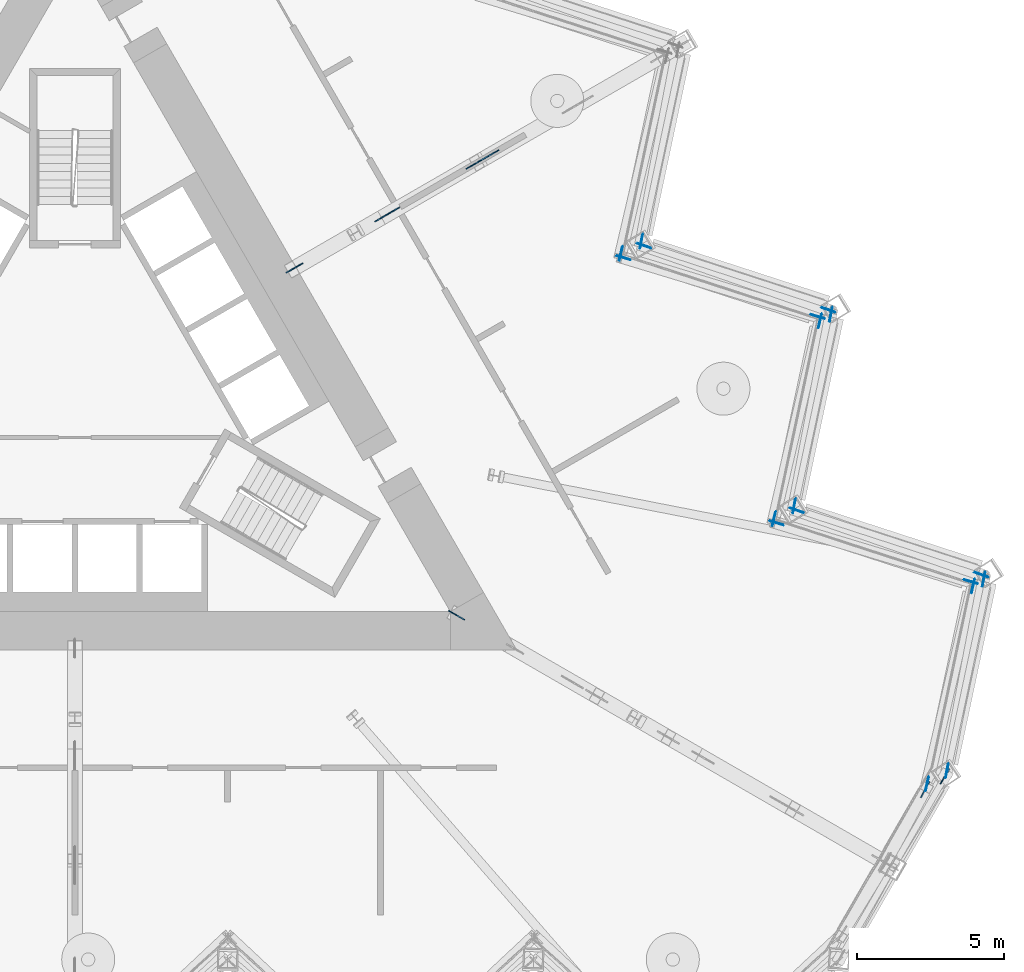
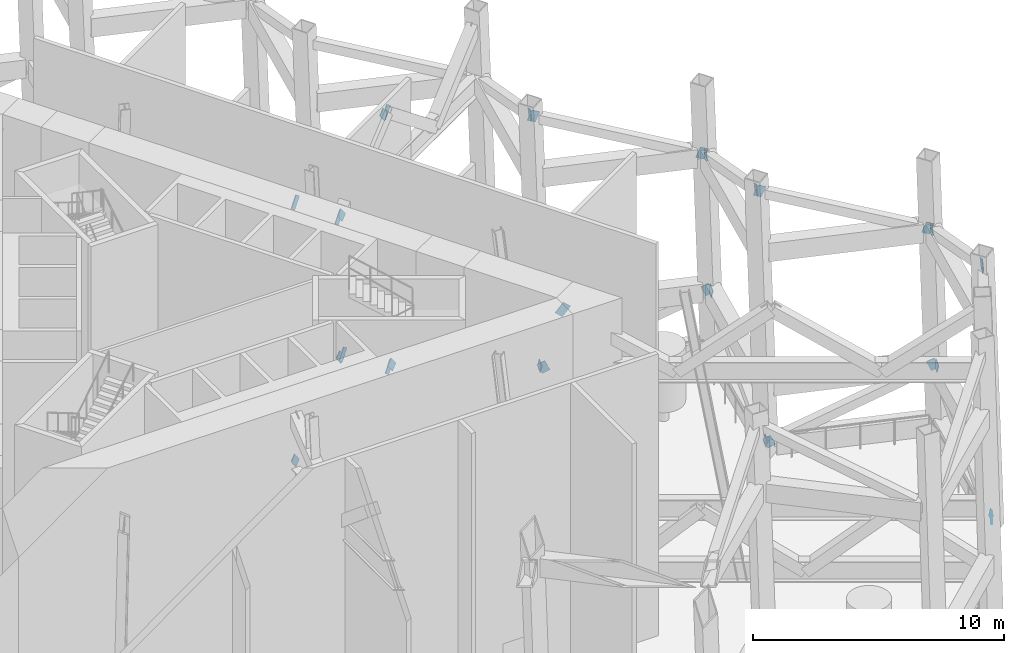
# One storey, part 13 of 19: 31 discrete accessories.
"""IFC4 building model written with IfcOpenShell, lengths in metres."""

from ifc_helpers import new_model, si_unit, direction, frame, origin, origin_2d, place, context, subcontext, project, spatial, rectangle, extrude, material, material_profile, profile_set, type_object, element, save


model = new_model("IFC4")

# Units and contexts
model_context = context("Model", 3, precision=1e-05, world=origin(), true_north=direction((0.0, 1.0)))
body_context = subcontext(model_context, "Body", "Model", "MODEL_VIEW")
ifc_project = project(units=[si_unit("LENGTHUNIT", "METRE"), si_unit("AREAUNIT", "SQUARE_METRE"), si_unit("VOLUMEUNIT", "CUBIC_METRE"), si_unit("PLANEANGLEUNIT", "RADIAN"), si_unit("MASSUNIT", "GRAM", prefix="KILO")], contexts=[model_context])

# Site, building, storey
site_placement = place(None, origin())
site = spatial("IfcSite", under=ifc_project, at=site_placement, CompositionType="ELEMENT")
building_placement = place(site_placement, origin())
building = spatial("IfcBuilding", under=site, at=building_placement, Name="Cormorant Prow Tower", CompositionType="ELEMENT")
storey_placement = place(building_placement, frame((0.0, 0.0, 287.800048828125)))
storey = spatial("IfcBuildingStorey", under=building, at=storey_placement, Name="L64", CompositionType="ELEMENT", Elevation=287.800048828125)

# Discrete accessories
ifc_material_1 = material(Name="Structural steel ASTM A500 Gr C", Category="steel")
ifc_material_profile_1 = material_profile(ifc_material_1, rectangle(XDim=0.031982421875, YDim=0.506103515625, at=origin_2d()), Name="Gusset plate 32x506")
ifc_profile_set_1 = profile_set([ifc_material_profile_1], Name="Structural steel ASTM A500 Gr C")
discrete_accessory_type_1 = type_object("IfcDiscreteAccessoryType", Name="Gusset plate 32x506", PredefinedType="BRACKET", material=ifc_profile_set_1)
for number, where, z_axis, x_axis, name in (
    (1, (29.46728515625, -13.07177734375, 0.640625), (0.401648542264, 0.659651946148, -0.635246218754), (-0.854128807881, 0.520061515158, 0.0), "Gusset plate GP2 L64.ESE01.g0"),
    (2, (28.809814453125, -13.507080078125, 13.034912109375), (0.330583804423, 0.613742084161, 0.716962343769), (-0.880406841963, 0.474219139876, 0.0), "Gusset plate GP2 L64.ESE01.t1.g1"),
):
    element("IfcDiscreteAccessory", number, at=place(storey_placement, frame(where, z_axis=z_axis, x_axis=x_axis)), inside=storey, type_object=discrete_accessory_type_1, Name=name, PredefinedType="BRACKET", context=body_context, shape_type="SweptSolid", body=[
        extrude(rectangle(XDim=0.031982421875, YDim=0.506103515625, at=origin_2d()), origin(), (0.0, 0.0, 1.0), 0.35009765625),
    ])
for number, where, z_axis, x_axis, name in (
    (3, (29.6396484375, -12.60400390625, 0.5703125), (-0.173056719178, -0.899476254112, -0.401240377125), (0.981990141826, -0.188932160724, 0.0), "Gusset plate GP2 L64.ENE00.g0"),
    (4, (30.8291015625, -6.41650390625, 3.32958984375), (0.173056719178, 0.899476254112, 0.401240377125), (-0.981990141826, 0.188932160724, 0.0), "Gusset plate GP2 L64.ENE00.g1"),
    (5, (30.459228515625, -6.647705078125, 10.3662109375), (0.208581222343, 0.897806130957, -0.38786341011), (-0.974058485018, 0.226296415711, 0.0), "Gusset plate GP2 L64.ENE00.t1.g0"),
    (6, (28.971435546875, -13.0537109375, 13.133544921875), (-0.208581222343, -0.897806130957, 0.38786341011), (0.974058485018, -0.226296415711, 0.0), "Gusset plate GP2 L64.ENE00.t1.g1"),
    (7, (24.65869140625, -3.9775390625, 0.570068359375), (-0.865090897516, 0.302084160181, -0.400453367076), (-0.329672061169, -0.944095510044, 0.0), "Gusset plate GP2 L64.ENE01.g0"),
):
    element("IfcDiscreteAccessory", number, at=place(storey_placement, frame(where, z_axis=z_axis, x_axis=x_axis)), inside=storey, type_object=discrete_accessory_type_1, Name=name, PredefinedType="BRACKET", context=body_context, shape_type="SweptSolid", body=[
        extrude(rectangle(XDim=0.031982421875, YDim=0.506103515625, at=origin_2d()), origin(), (0.0, 0.0, 1.0), 0.349853515625),
    ])
for number, where, z_axis, x_axis, name in (
    (8, (30.621337890625, -6.05615234375, 3.329833984375), (0.865266280824, -0.301901933599, 0.400211801123), (0.329435251589, 0.944178169103, 0.0), "Gusset plate GP2 L64.ENE01.g1"),
    (9, (30.257080078125, -6.29833984375, 10.366455078125), (0.882138829648, -0.266385006265, -0.388420022224), (0.28908310657, 0.957304004742, 0.0), "Gusset plate GP2 L64.ENE01.t1.g0"),
    (10, (23.97509765625, -4.39892578125, 13.13330078125), (-0.882138829648, 0.266385006265, 0.388420022224), (-0.28908310657, -0.957304004742, 0.0), "Gusset plate GP2 L64.ENE01.t1.g1"),
    (11, (24.450927734375, -3.616943359375, 0.5703125), (-0.172271523265, -0.899717672114, -0.401036946873), (0.982158184024, -0.188056644538, 0.0), "Gusset plate GP2 L64.ENE02.g0"),
):
    element("IfcDiscreteAccessory", number, at=place(storey_placement, frame(where, z_axis=z_axis, x_axis=x_axis)), inside=storey, type_object=discrete_accessory_type_1, Name=name, PredefinedType="BRACKET", context=body_context, shape_type="SweptSolid", body=[
        extrude(rectangle(XDim=0.031982421875, YDim=0.506103515625, at=origin_2d()), origin(), (0.0, 0.0, 1.0), 0.35009765625),
    ])
discrete_accessory_1_placement = place(storey_placement, frame((25.63818359375, 2.574462890625, 3.32958984375), z_axis=(0.173056719178, 0.899476254112, 0.401240377125), x_axis=(-0.981990141826, 0.188932160724, 0.0)))
element("IfcDiscreteAccessory", 12, at=discrete_accessory_1_placement, inside=storey, type_object=discrete_accessory_type_1, Name="Gusset plate GP2 L64.ENE02.g1", PredefinedType="BRACKET", context=body_context, shape_type="SweptSolid", body=[
    extrude(rectangle(XDim=0.031982421875, YDim=0.506103515625, at=origin_2d()), origin(), (0.0, 0.0, 1.0), 0.349853515625),
])
for number, where, z_axis, x_axis, name in (
    (13, (25.262939453125, 2.352294921875, 10.366455078125), (0.209191694804, 0.89743237071, -0.388399246686), (-0.973891420935, 0.227014317234, 0.0), "Gusset plate GP2 L64.ENE02.t1.g0"),
    (14, (23.773193359375, -4.049560546875, 13.133544921875), (-0.209248322944, -0.897675305428, 0.387806891855), (0.973891420935, -0.227014317234, 0.0), "Gusset plate GP2 L64.ENE02.t1.g1"),
    (15, (19.47021484375, 5.009521484375, 0.570068359375), (-0.865448263012, 0.301268049654, -0.400295973383), (-0.328756746245, -0.944414634468, 0.0), "Gusset plate GP2 L64.ENE03.g0"),
    (16, (25.430419921875, 2.9345703125, 3.329833984375), (0.865448263012, -0.301268049654, 0.400295973383), (0.328756746245, 0.944414634468, 0.0), "Gusset plate GP2 L64.ENE03.g1"),
):
    element("IfcDiscreteAccessory", number, at=place(storey_placement, frame(where, z_axis=z_axis, x_axis=x_axis)), inside=storey, type_object=discrete_accessory_type_1, Name=name, PredefinedType="BRACKET", context=body_context, shape_type="SweptSolid", body=[
        extrude(rectangle(XDim=0.031982421875, YDim=0.506103515625, at=origin_2d()), origin(), (0.0, 0.0, 1.0), 0.35009765625),
    ])
discrete_accessory_2_placement = place(storey_placement, frame((25.06103515625, 2.701904296875, 10.366455078125), z_axis=(0.881819785023, -0.267196976, -0.388586724887), x_axis=(0.289986381107, 0.957030772114, 0.0)))
element("IfcDiscreteAccessory", 17, at=discrete_accessory_2_placement, inside=storey, type_object=discrete_accessory_type_1, Name="Gusset plate GP2 L64.ENE03.t1.g0", PredefinedType="BRACKET", context=body_context, shape_type="SweptSolid", body=[
    extrude(rectangle(XDim=0.031982421875, YDim=0.506103515625, at=origin_2d()), origin(), (0.0, 0.0, 1.0), 0.349853515625),
])
for number, where, z_axis, x_axis, name in (
    (18, (18.776611328125, 4.60498046875, 13.133544921875), (-0.882213480392, 0.26710495098, 0.387755490196), (-0.289776399054, -0.957094372855, 0.0), "Gusset plate GP2 L64.ENE03.t1.g1"),
    (19, (19.26220703125, 5.369873046875, 0.5703125), (-0.172271523265, -0.899717672114, -0.401036946873), (0.982158184024, -0.188056644538, 0.0), "Gusset plate GP2 L64.ENE04.g0"),
):
    element("IfcDiscreteAccessory", number, at=place(storey_placement, frame(where, z_axis=z_axis, x_axis=x_axis)), inside=storey, type_object=discrete_accessory_type_1, Name=name, PredefinedType="BRACKET", context=body_context, shape_type="SweptSolid", body=[
        extrude(rectangle(XDim=0.031982421875, YDim=0.506103515625, at=origin_2d()), origin(), (0.0, 0.0, 1.0), 0.35009765625),
    ])
discrete_accessory_3_placement = place(storey_placement, frame((18.57470703125, 4.954345703125, 13.133544921875), z_axis=(-0.209379410418, -0.897539739327, 0.388049840642), x_axis=(0.973852380129, -0.2271817372, 0.0)))
element("IfcDiscreteAccessory", 20, at=discrete_accessory_3_placement, inside=storey, type_object=discrete_accessory_type_1, Name="Gusset plate GP2 L64.ENE04.t1.g1", PredefinedType="BRACKET", context=body_context, shape_type="SweptSolid", body=[
    extrude(rectangle(XDim=0.031982421875, YDim=0.506103515625, at=origin_2d()), origin(), (0.0, 0.0, 1.0), 0.349853515625),
])
ifc_material_2 = material(Name="Structural steel ASTM A500 Gr C", Category="steel")
ifc_material_profile_2 = material_profile(ifc_material_2, rectangle(XDim=0.031982421875, YDim=0.60791015625, at=origin_2d()), Name="Gusset plate 32x608")
ifc_profile_set_2 = profile_set([ifc_material_profile_2], Name="Structural steel ASTM A500 Gr C")
discrete_accessory_type_2 = type_object("IfcDiscreteAccessoryType", Name="Gusset plate 32x608", PredefinedType="BRACKET", material=ifc_profile_set_2)
discrete_accessory_4_placement = place(storey_placement, frame((13.088134765625, -7.556396484375, 13.036865234375), z_axis=(-0.727089729103, 0.419367492505, 0.543572839703), x_axis=(-0.499626492788, -0.866240940907, 0.0)))
element("IfcDiscreteAccessory", 21, at=discrete_accessory_4_placement, inside=storey, type_object=discrete_accessory_type_2, Name="Gusset plate GP1 L64.09.1.t1.g0", PredefinedType="BRACKET", context=body_context, shape_type="SweptSolid", body=[
    extrude(rectangle(XDim=0.031982421875, YDim=0.60791015625, at=origin_2d()), origin(), (0.0, 0.0, 1.0), 0.349853515625),
])
discrete_accessory_5_placement = place(storey_placement, frame((7.573974609375, 4.372802734375, 0.686279296875), z_axis=(-0.679175372225, -0.391885584385, -0.620601726161), x_axis=(0.499773776046, -0.866155974855, 0.0)))
element("IfcDiscreteAccessory", 22, at=discrete_accessory_5_placement, inside=storey, type_object=discrete_accessory_type_2, Name="Gusset plate GP1 L64.11.1.g0", PredefinedType="BRACKET", context=body_context, shape_type="SweptSolid", body=[
    extrude(rectangle(XDim=0.031982421875, YDim=0.60791015625, at=origin_2d()), origin(), (0.0, 0.0, 1.0), 0.35009765625),
])
for number, where, z_axis, x_axis, name in (
    (23, (10.450439453125, 6.03369140625, 3.31396484375), (0.679469310196, 0.392055187197, 0.62017270715), (-0.499773776046, 0.866155974855, 0.0), "Gusset plate GP1 L64.11.1.g1"),
    (24, (10.860107421875, 6.27001953125, 3.317138671875), (-0.68645957924, -0.396249025415, 0.609721211642), (0.499925626596, -0.866068339032, 0.0), "Gusset plate GP1 L64.11.2.g0"),
):
    element("IfcDiscreteAccessory", number, at=place(storey_placement, frame(where, z_axis=z_axis, x_axis=x_axis)), inside=storey, type_object=discrete_accessory_type_2, Name=name, PredefinedType="BRACKET", context=body_context, shape_type="SweptSolid", body=[
        extrude(rectangle(XDim=0.031982421875, YDim=0.60791015625, at=origin_2d()), origin(), (0.0, 0.0, 1.0), 0.349853515625),
    ])
for number, where, z_axis, x_axis, name in (
    (25, (13.822509765625, 7.98046875, 0.68310546875), (0.68616760981, 0.396080490216, -0.610159205878), (-0.499925626596, 0.866068339032, 0.0), "Gusset plate GP1 L64.11.2.g1"),
    (26, (14.22998046875, 8.215576171875, 0.689453125), (-0.671683032002, -0.387804533534, -0.631228602245), (0.500007885066, -0.866020851292, 0.0), "Gusset plate GP1 L64.11.3.g0"),
    (27, (7.5712890625, 4.371337890625, 13.010009765625), (-0.670889592158, -0.387051687783, 0.632533118594), (0.49972245349, -0.866185586049, 0.0), "Gusset plate GP1 L64.11.1.t1.g0"),
    (28, (10.3525390625, 5.97705078125, 10.389404296875), (0.671004149087, 0.38781528783, -0.631943616499), (-0.500397548058, 0.865795757611, 0.0), "Gusset plate GP1 L64.11.1.t1.g1"),
    (29, (10.7529296875, 6.208251953125, 10.392822265625), (-0.663255717396, -0.382888947266, -0.643030253879), (0.499958946799, -0.866049104564, 0.0), "Gusset plate GP1 L64.11.2.t1.g0"),
):
    element("IfcDiscreteAccessory", number, at=place(storey_placement, frame(where, z_axis=z_axis, x_axis=x_axis)), inside=storey, type_object=discrete_accessory_type_2, Name=name, PredefinedType="BRACKET", context=body_context, shape_type="SweptSolid", body=[
        extrude(rectangle(XDim=0.031982421875, YDim=0.60791015625, at=origin_2d()), origin(), (0.0, 0.0, 1.0), 0.35009765625),
    ])
for number, where, z_axis, x_axis, name in (
    (30, (13.448974609375, 7.7646484375, 13.0068359375), (0.662864821506, 0.383066091586, 0.643327753083), (-0.500353517061, 0.865821204386, 0.0), "Gusset plate GP1 L64.11.2.t1.g1"),
    (31, (13.851318359375, 7.9970703125, 13.013427734375), (-0.678314290276, -0.391496210746, 0.621788099419), (0.499876722092, -0.86609656662, 0.0), "Gusset plate GP1 L64.11.3.t1.g0"),
):
    element("IfcDiscreteAccessory", number, at=place(storey_placement, frame(where, z_axis=z_axis, x_axis=x_axis)), inside=storey, type_object=discrete_accessory_type_2, Name=name, PredefinedType="BRACKET", context=body_context, shape_type="SweptSolid", body=[
        extrude(rectangle(XDim=0.031982421875, YDim=0.60791015625, at=origin_2d()), origin(), (0.0, 0.0, 1.0), 0.349853515625),
    ])

save(model, "model.ifc")
